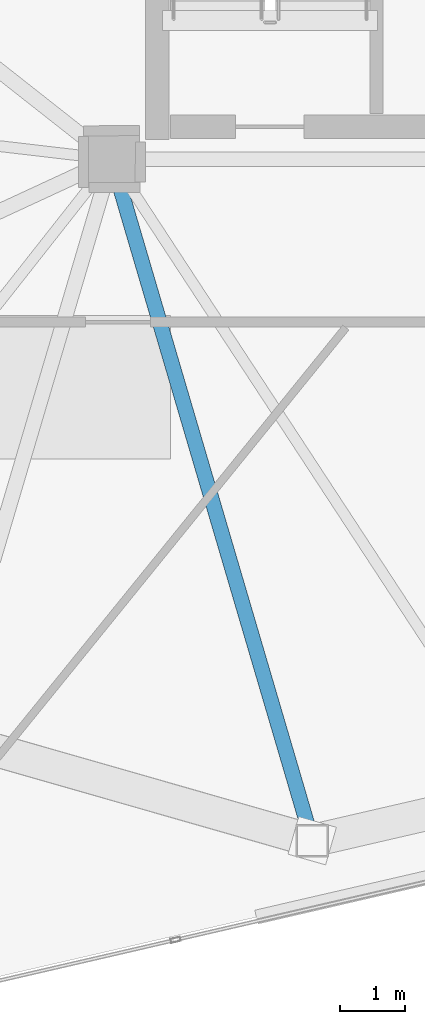
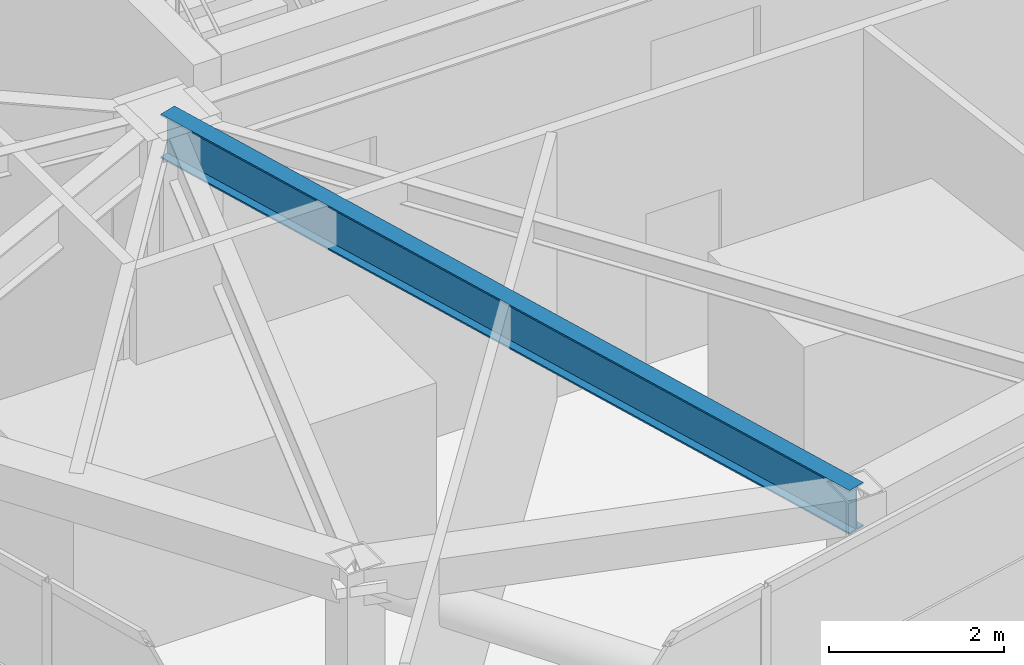
# One storey, part 4 of 21: 1 beam.
"""IFC4 building model written with IfcOpenShell, lengths in metres."""

import ifcopenshell
import ifcopenshell.guid

model = None  # the IFC model being written
_history = None  # IfcOwnerHistory: only IFC2X3 demands one
_inside = {}  # id of a spatial element -> (the spatial element, [elements in it])
_under = {}  # id of a project, library or spatial element -> (it, [spatial elements below it])
_declared = {}  # id of a project -> (the project, [libraries it declares])
_typed = {}  # id of a type object -> (the type object, [elements of that type])
_made_of = {}  # id of a material, layer set ... -> (it, [elements and type objects made of it])


def new_model(schema):
    """Start an empty IFC model of exactly this schema.

    Asked for "IFC4X3", IfcOpenShell would pick the latest addendum, in which some entities
    have other attributes; the version numbers below select the first issue.
    IFC2X3 requires an IfcOwnerHistory on every rooted entity: one is made here for all.
    """
    global model, _history
    if schema == "IFC4X3":
        model = ifcopenshell.file(schema_version=(4, 3, 0, 0))
    else:
        model = ifcopenshell.file(schema=schema)
    _inside.clear()
    _under.clear()
    _declared.clear()
    _typed.clear()
    _made_of.clear()
    _history = None
    if model.schema == "IFC2X3":
        org = make("IfcOrganization", Name="unknown")
        user = make(
            "IfcPersonAndOrganization",
            ThePerson=make("IfcPerson", FamilyName="unknown"),
            TheOrganization=org,
        )
        app = make(
            "IfcApplication",
            ApplicationDeveloper=org,
            Version="unknown",
            ApplicationFullName="unknown",
            ApplicationIdentifier="unknown",
        )
        _history = make(
            "IfcOwnerHistory",
            OwningUser=user,
            OwningApplication=app,
            ChangeAction="ADDED",
            CreationDate=0,
        )
    return model


def make(cls, **values):
    """One entity of the class cls with the attributes given. An attribute that is None is left unset."""
    return model.create_entity(
        cls, **{name: value for name, value in values.items() if value is not None}
    )


def rooted(cls, **values):
    """An entity with a GlobalId (a new one), such as an element, a storey or a relation."""
    return make(cls, GlobalId=ifcopenshell.guid.new(), OwnerHistory=_history, **values)


def si_unit(unit_type, name, prefix=None):
    """IfcSIUnit, for example si_unit("LENGTHUNIT", "METRE", prefix="MILLI")."""
    return make("IfcSIUnit", UnitType=unit_type, Prefix=prefix, Name=name)


def assignment(units):
    """IfcUnitAssignment: the units of a project."""
    return None if units is None else make("IfcUnitAssignment", Units=units)


def point(xyz):
    """IfcCartesianPoint."""
    return None if xyz is None else make("IfcCartesianPoint", Coordinates=xyz)


def direction(xyz):
    """IfcDirection."""
    return None if xyz is None else make("IfcDirection", DirectionRatios=xyz)


def frame(location, z_axis=None, x_axis=None):
    """IfcAxis2Placement3D, a coordinate frame: its origin and axes. An axis left out is left unset."""
    return make(
        "IfcAxis2Placement3D",
        Location=point(location),
        Axis=direction(z_axis),
        RefDirection=direction(x_axis),
    )


def frame_2d(location, x_axis=None):
    """IfcAxis2Placement2D, a coordinate frame in the plane: its origin and x axis."""
    return make(
        "IfcAxis2Placement2D", Location=point(location), RefDirection=direction(x_axis)
    )


def origin():
    """The frame at (0, 0, 0) with its axes left unset."""
    return frame((0.0, 0.0, 0.0))


def origin_2d():
    """The frame at (0, 0) in the plane with its x axis left unset."""
    return frame_2d((0.0, 0.0))


def place(relative_to, where):
    """IfcLocalPlacement: puts the frame where relative to a parent placement (None: the world)."""
    return make(
        "IfcLocalPlacement", PlacementRelTo=relative_to, RelativePlacement=where
    )


def context(
    kind, dimensions, precision=None, world=None, true_north=None, identifier=None
):
    """IfcGeometricRepresentationContext, for example the 3D "Model" context."""
    return make(
        "IfcGeometricRepresentationContext",
        ContextIdentifier=identifier,
        ContextType=kind,
        CoordinateSpaceDimension=dimensions,
        Precision=precision,
        WorldCoordinateSystem=world,
        TrueNorth=true_north,
    )


def subcontext(parent, identifier, kind, view, scale=None):
    """IfcGeometricRepresentationSubContext, for example "Body" below "Model"."""
    return make(
        "IfcGeometricRepresentationSubContext",
        ContextIdentifier=identifier,
        ContextType=kind,
        ParentContext=parent,
        TargetScale=scale,
        TargetView=view,
    )


def project(units=None, contexts=None):
    """IfcProject with its units and contexts."""
    return rooted(
        "IfcProject",
        Name="project",
        RepresentationContexts=contexts,
        UnitsInContext=assignment(units),
    )


def spatial(cls, under=None, at=None, **own):
    """A site, building, storey or space (cls), placed at a placement, below another one or the project."""
    s = rooted(cls, ObjectPlacement=at, **own)
    if under is not None:
        _under.setdefault(under.id(), (under, []))[1].append(s)
    return s


def profile(cls, at=None, kind="AREA", **sizes):
    """A parametric profile (cls). Its sizes go by their IFC names, for example OverallWidth=200.0."""
    return make(cls, ProfileType=kind, Position=at, **sizes)


def i_section(**sizes):
    """IfcIShapeProfileDef."""
    return profile("IfcIShapeProfileDef", **sizes)


def extrude(swept, where, along, depth):
    """IfcExtrudedAreaSolid: the profile swept, set in the frame where, extruded along a direction by depth."""
    return make(
        "IfcExtrudedAreaSolid",
        SweptArea=swept,
        Position=where,
        ExtrudedDirection=direction(along),
        Depth=depth,
    )


def shape(context_of_items, identifier, shape_type, items):
    """IfcShapeRepresentation: the items that make up one representation, for example the "Body"."""
    return make(
        "IfcShapeRepresentation",
        ContextOfItems=context_of_items,
        RepresentationIdentifier=identifier,
        RepresentationType=shape_type,
        Items=items,
    )


def material(Name=None, Category=None):
    """IfcMaterial."""
    return make("IfcMaterial", Name=Name, Category=Category)


def material_profile(
    of_material, cross_section, Name=None, Category=None, Priority=None
):
    """IfcMaterialProfile: a cross section and its material."""
    return make(
        "IfcMaterialProfile",
        Name=Name,
        Material=of_material,
        Profile=cross_section,
        Priority=Priority,
        Category=Category,
    )


def profile_set(profiles, Name=None, composite=None):
    """IfcMaterialProfileSet."""
    return make(
        "IfcMaterialProfileSet",
        Name=Name,
        MaterialProfiles=profiles,
        CompositeProfile=composite,
    )


def made_of(thing, what):
    """Note that an element or type object is made of a material, layer set ...; save() writes the relation."""
    if what is not None:
        _made_of.setdefault(what.id(), (what, []))[1].append(thing)
    return thing


def type_object(cls, material=None, **own):
    """A type object (cls), such as IfcWallType, which elements share."""
    return made_of(rooted(cls, **own), material)


def element(
    cls,
    number,
    at=None,
    inside=None,
    cuts=None,
    type_object=None,
    material=None,
    context=None,
    identifier="Body",
    shape_type=None,
    held_by="IfcProductDefinitionShape",
    body=None,
    shapes=None,
    **own,
):
    """One element of the class cls, such as IfcWall. Its Tag is "e" and its number.

    at: its placement. inside: the storey or other place that contains it. cuts: it is an
    opening in that element (IfcRelVoidsElement). A single representation is given by context,
    identifier, shape_type and body (its items); several are given by shapes. held_by: the class
    of the entity that holds the representations. save() writes the other relations.
    """
    e = rooted(cls, Tag="e%d" % number, ObjectPlacement=at, **own)
    if body is not None:
        shapes = [shape(context, identifier, shape_type, body)]
    if shapes is not None:
        e.Representation = make(held_by, Representations=shapes)
    if inside is not None:
        _inside.setdefault(inside.id(), (inside, []))[1].append(e)
    if cuts is not None:
        rooted(
            "IfcRelVoidsElement", RelatingBuildingElement=cuts, RelatedOpeningElement=e
        )
    if type_object is not None:
        _typed.setdefault(type_object.id(), (type_object, []))[1].append(e)
    return made_of(e, material)


def aggregate(whole, parts):
    """IfcRelAggregates: a whole, such as a stair, and the parts it consists of."""
    return rooted("IfcRelAggregates", RelatingObject=whole, RelatedObjects=parts)


def save(model, path):
    """Write the relations noted so far, then the file.

    IfcRelAggregates (storeys below a building ...), IfcRelContainedInSpatialStructure (elements
    in a storey), IfcRelDefinesByType, IfcRelAssociatesMaterial and IfcRelDeclares: one each for
    every whole, place, type object, material and project.
    """
    for whole, parts in _under.values():
        aggregate(whole, parts)
    for where, things in _inside.values():
        rooted(
            "IfcRelContainedInSpatialStructure",
            RelatedElements=things,
            RelatingStructure=where,
        )
    for kind, things in _typed.values():
        rooted("IfcRelDefinesByType", RelatedObjects=things, RelatingType=kind)
    for what, things in _made_of.values():
        rooted("IfcRelAssociatesMaterial", RelatedObjects=things, RelatingMaterial=what)
    for by, libraries in _declared.values():
        rooted("IfcRelDeclares", RelatingContext=by, RelatedDefinitions=libraries)
    model.write(path)


model = new_model("IFC4")

# Units and contexts
model_context = context("Model", 3, precision=1e-05, world=origin(), true_north=direction((0.0, 1.0)))
body_context = subcontext(model_context, "Body", "Model", "MODEL_VIEW")
ifc_project = project(units=[si_unit("LENGTHUNIT", "METRE"), si_unit("AREAUNIT", "SQUARE_METRE"), si_unit("VOLUMEUNIT", "CUBIC_METRE"), si_unit("PLANEANGLEUNIT", "RADIAN"), si_unit("MASSUNIT", "GRAM", prefix="KILO")], contexts=[model_context])

# Site, building, storey
site_placement = place(None, origin())
site = spatial("IfcSite", under=ifc_project, at=site_placement, CompositionType="ELEMENT")
building_placement = place(site_placement, origin())
building = spatial("IfcBuilding", under=site, at=building_placement, Name="Talar Marvaseh", CompositionType="ELEMENT")
storey_placement = place(building_placement, frame((0.0, 0.0, 304.0)))
storey = spatial("IfcBuildingStorey", under=building, at=storey_placement, Name="L81", CompositionType="ELEMENT", Elevation=304.0)

# Beam
ifc_material = material(Name="Steel S355", Category="steel")
ifc_material_profile = material_profile(ifc_material, i_section(OverallWidth=0.22998046875, OverallDepth=0.616943359375, WebThickness=0.01318359375, FlangeThickness=0.022216796875, at=origin_2d()), Name="W610x140")
ifc_profile_set = profile_set([ifc_material_profile], Name="Steel S355")
beam_type = type_object("IfcBeamType", Name="Zone 4 Radial Floor Girder W610x140", PredefinedType="BEAM", material=ifc_profile_set)
beam_placement = place(storey_placement, frame((21.77587890625, 15.0400390625, 3.431396484375), z_axis=(-0.28212146763, 0.959378693479, 0.0), x_axis=(-0.959378693479, -0.28212146763, 0.0)))
element("IfcBeam", 1, at=beam_placement, inside=storey, type_object=beam_type, Name="L81 Zone 4 Radial Floor Girder W610x140", PredefinedType="BEAM", context=body_context, shape_type="SweptSolid", body=[
    extrude(i_section(OverallWidth=0.22998046875, OverallDepth=0.616943359375, WebThickness=0.01318359375, FlangeThickness=0.022216796875, at=origin_2d()), origin(), (0.0, 0.0, 1.0), 10.90283203125),
])

save(model, "model.ifc")
